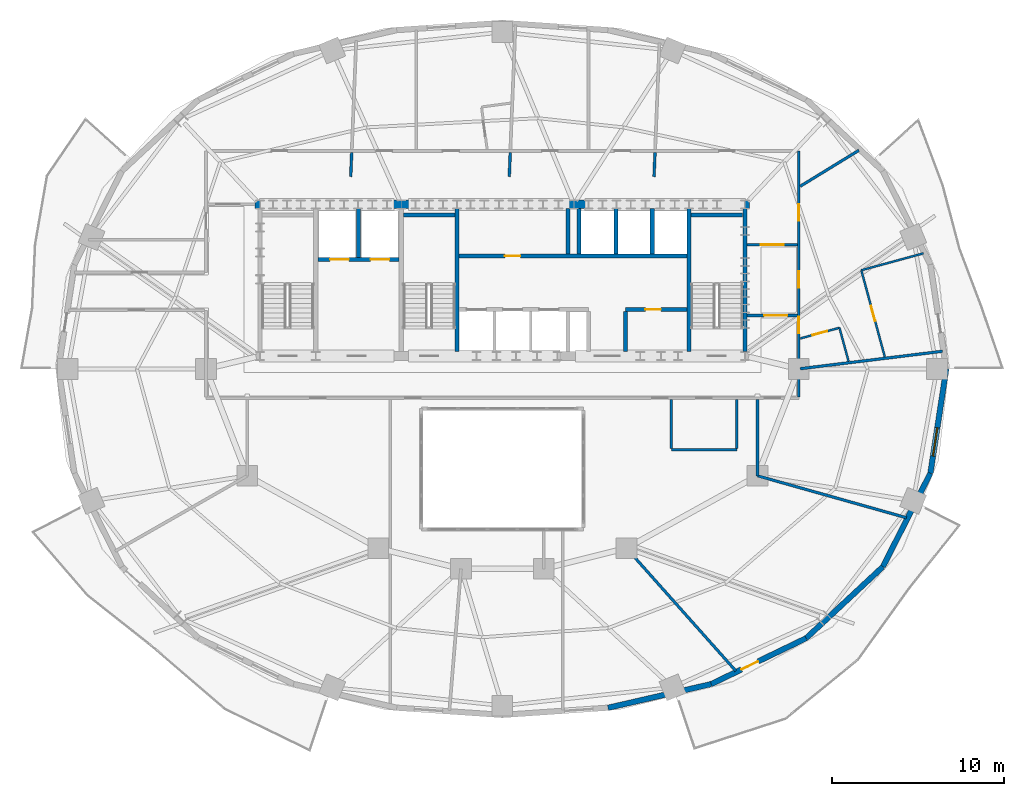
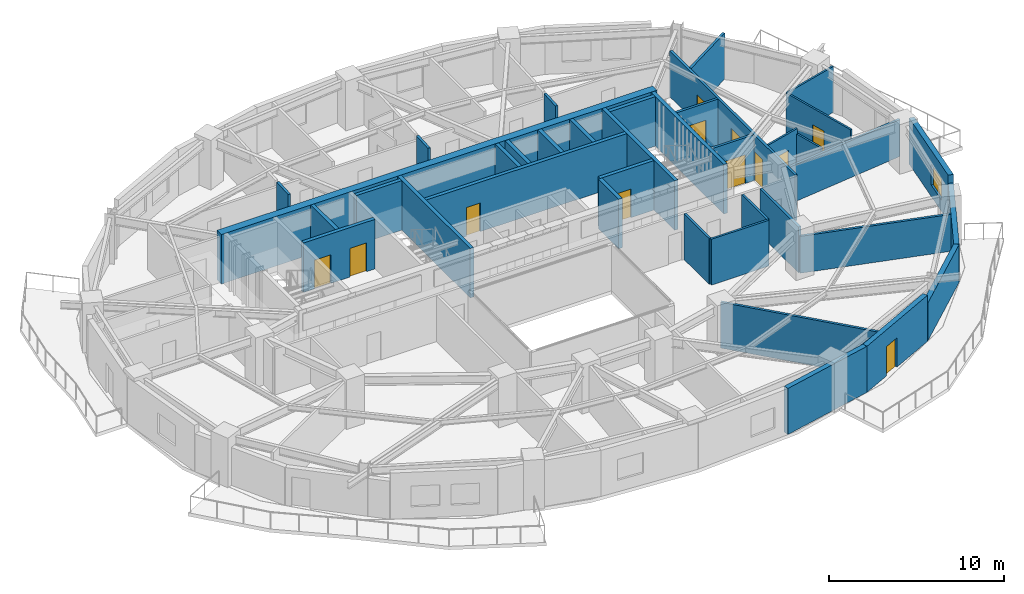
# One storey, part 7 of 13: 38 walls, 12 doors, 1 window, 13 openings.
"""IFC4 building model written with IfcOpenShell, lengths in metres."""

from ifc_helpers import new_model, si_unit, direction, frame, frame_2d, origin, place, context, subcontext, project, spatial, rectangle, extrude, material, layer, layer_set, type_object, element, fill, save


model = new_model("IFC4")

# Units and contexts
model_context = context("Model", 3, precision=1e-05, world=origin(), true_north=direction((0.0, 1.0)))
body_context = subcontext(model_context, "Body", "Model", "MODEL_VIEW")
ifc_project = project(units=[si_unit("LENGTHUNIT", "METRE"), si_unit("AREAUNIT", "SQUARE_METRE"), si_unit("VOLUMEUNIT", "CUBIC_METRE"), si_unit("PLANEANGLEUNIT", "RADIAN"), si_unit("MASSUNIT", "GRAM", prefix="KILO")], contexts=[model_context])

# Site, building, storey
site_placement = place(None, origin())
site = spatial("IfcSite", under=ifc_project, at=site_placement, CompositionType="ELEMENT")
building_placement = place(site_placement, origin())
building = spatial("IfcBuilding", under=site, at=building_placement, Name="Haldorwick Loom Tower", CompositionType="ELEMENT")
storey_placement = place(building_placement, frame((0.0, 0.0, 139.10009765625)))
storey = spatial("IfcBuildingStorey", under=building, at=storey_placement, Name="L37", CompositionType="ELEMENT", Elevation=139.10009765625)

# Wall
ifc_material_1 = material(Name="Pressed Clay Face Brick and Insulated Masonry Backup Assembly", Category="masonry")
ifc_layer_1 = layer(ifc_material_1, 0.320068359375, Name="Pressed Clay Face Brick and Insulated Masonry Backup Assembly", Category="masonry")
ifc_layer_set_1 = layer_set([ifc_layer_1], Name="Pressed Clay Face Brick and Insulated Masonry Backup Assembly")
wall_type_1 = type_object("IfcWallType", Name="ARC-WL-EXT320", PredefinedType="STANDARD", material=ifc_layer_set_1)
wall_1_placement = place(storey_placement, frame((42.12890625, 6.3359375, 0.0), z_axis=(0.0, 0.0, 1.0), x_axis=(0.974593223547, 0.223982250674, 0.0)))
element("IfcWall", 1, at=wall_1_placement, inside=storey, type_object=wall_type_1, Name="L37 Brick Pier and Spandrel Wall 20", PredefinedType="STANDARD", context=body_context, shape_type="SweptSolid", body=[
    extrude(rectangle(XDim=6.138916015625, YDim=0.320068359375, at=frame_2d((3.0693359375, 0.0))), origin(), (0.0, 0.0, 1.0), 3.2099609375),
])

# Wall, opening, door
wall_2_placement = place(storey_placement, frame((48.11181640625, 7.7109375, 0.0), z_axis=(0.0, 0.0, 1.0), x_axis=(0.900479976617, 0.434897472644, 0.0)))
wall_2 = element("IfcWall", 2, at=wall_2_placement, inside=storey, type_object=wall_type_1, Name="L37 Brick Pier and Spandrel Wall 21", PredefinedType="STANDARD", context=body_context, shape_type="SweptSolid", body=[
    extrude(rectangle(XDim=6.118408203125, YDim=0.320068359375, at=frame_2d((3.05908203125, 0.0))), origin(), (0.0, 0.0, 1.0), 3.2099609375),
])
opening_1_placement = place(wall_2_placement, frame((1.951904296875, 0.0, 0.0)))
opening_1 = element("IfcOpeningElement", 3, at=opening_1_placement, cuts=wall_2, Name="Opening D-BL11", PredefinedType="OPENING", context=body_context, shape_type="SweptSolid", body=[
    extrude(rectangle(XDim=1.080078125, YDim=2.0400390625, at=frame_2d((0.5400390625, 1.02001953125))), frame((0.0, 0.169921875, 0.0), z_axis=(0.0, -1.0, 0.0), x_axis=(1.0, 0.0, 0.0)), (0.0, 0.0, 1.0), 0.340087890625),
])
ifc_material_2 = material(Name="Thermally Broken Anodized Aluminium Curtain Wall Framing", Category="aluminium")
door_type_1 = type_object("IfcDoorType", Name="ARC-DR-BAL110", OperationType="NOTDEFINED", PredefinedType="DOOR", material=ifc_material_2)
door_1_placement = place(opening_1_placement, origin())
door_1 = element("IfcDoor", 4, at=door_1_placement, inside=storey, type_object=door_type_1, Name="L37 Outdoor Terrace Door SLB-L37-BAL_SE", OperationType="SINGLE_SWING_RIGHT", OverallHeight=2.0400390625, OverallWidth=1.080078125, PredefinedType="DOOR", context=body_context, shape_type="SweptSolid", body=[
    extrude(rectangle(XDim=1.080078125, YDim=2.0400390625, at=frame_2d((0.5400390625, 1.02001953125))), frame((0.0, 0.02490234375, 0.0), z_axis=(0.0, -1.0, 0.0), x_axis=(1.0, 0.0, 0.0)), (0.0, 0.0, 1.0), 0.050048828125),
])
fill(opening_1, door_1)

# Walls
for number, where, z_axis, x_axis, name in (
    (5, (53.621337890625, 10.371826171875, 0.0), (0.0, 0.0, 1.0), (0.731982952968, 0.681322945866, 0.0), "L37 Brick Pier and Spandrel Wall 22"),
    (6, (58.07666015625, 14.518798828125, 0.0), (0.0, 0.0, 1.0), (0.453172129629, 0.89142303141, 0.0), "L37 Brick Pier and Spandrel Wall 23"),
):
    element("IfcWall", number, at=place(storey_placement, frame(where, z_axis=z_axis, x_axis=x_axis)), inside=storey, type_object=wall_type_1, Name=name, PredefinedType="STANDARD", context=body_context, shape_type="SweptSolid", body=[
        extrude(rectangle(XDim=6.086669921875, YDim=0.320068359375, at=frame_2d((3.04345703125, 0.0))), origin(), (0.0, 0.0, 1.0), 2.640869140625),
    ])

# Wall, opening, window
wall_3_placement = place(storey_placement, frame((60.8349609375, 19.944580078125, 0.0), z_axis=(0.0, 0.0, 1.0), x_axis=(0.150544467684, 0.988603238539, 0.0)))
wall_3 = element("IfcWall", 7, at=wall_3_placement, inside=storey, type_object=wall_type_1, Name="L37 Brick Pier and Spandrel Wall 24", PredefinedType="STANDARD", context=body_context, shape_type="SweptSolid", body=[
    extrude(rectangle(XDim=6.125244140625, YDim=0.320068359375, at=frame_2d((3.0625, 0.0))), origin(), (0.0, 0.0, 1.0), 3.2099609375),
])
opening_2_placement = place(wall_3_placement, frame((1.0126953125, 0.0, 0.800048828125)))
opening_2 = element("IfcOpeningElement", 8, at=opening_2_placement, cuts=wall_3, Name="Opening W-01B", PredefinedType="OPENING", context=body_context, shape_type="SweptSolid", body=[
    extrude(rectangle(XDim=1.64990234375, YDim=1.449951171875, at=frame_2d((0.824951171875, 0.72509765625))), frame((0.0, 0.169921875, 0.0), z_axis=(0.0, -1.0, 0.0), x_axis=(1.0, 0.0, 0.0)), (0.0, 0.0, 1.0), 0.340087890625),
])
ifc_material_3 = material(Name="Triple-Glazed Low-E Argon Insulated Glazing Unit", Category="glass")
window_type = type_object("IfcWindowType", Name="ARC-WIN-W165", PartitioningType="SINGLE_PANEL", PredefinedType="WINDOW", material=ifc_material_3)
window_placement = place(opening_2_placement, origin())
window = element("IfcWindow", 9, at=window_placement, inside=storey, type_object=window_type, Name="L37 Deep-Set Zone 7A Window 24", OverallHeight=1.449951171875, OverallWidth=1.64990234375, PartitioningType="SINGLE_PANEL", PredefinedType="WINDOW", context=body_context, shape_type="SweptSolid", body=[
    extrude(rectangle(XDim=1.64990234375, YDim=1.449951171875, at=frame_2d((0.824951171875, 0.72509765625))), frame((0.0, 0.030029296875, 0.0), z_axis=(0.0, -1.0, 0.0), x_axis=(1.0, 0.0, 0.0)), (0.0, 0.0, 1.0), 0.06005859375),
])
fill(opening_2, window)

# Wall, openings, doors
ifc_material_4 = material(Name="Fire-Rated Type X Gypsum Stud Assembly EI 60")
ifc_layer_2 = layer(ifc_material_4, 0.159912109375, Name="Fire-Rated Type X Gypsum Stud Assembly EI 60")
ifc_layer_set_2 = layer_set([ifc_layer_2], Name="Fire-Rated Type X Gypsum Stud Assembly EI 60")
wall_type_2 = type_object("IfcWallType", Name="ARC-WL-FIRE160", PredefinedType="PARTITIONING", material=ifc_layer_set_2)
wall_4_placement = place(storey_placement, frame((53.199951171875, 24.383056640625, 0.0), z_axis=(0.0, 0.0, 1.0), x_axis=(0.0, 1.0, 0.0)))
wall_4 = element("IfcWall", 10, at=wall_4_placement, inside=storey, type_object=wall_type_2, Name="L37 Residential Fire Partition L37-CR-E0", PredefinedType="PARTITIONING", context=body_context, shape_type="SweptSolid", body=[
    extrude(rectangle(XDim=14.266845703125, YDim=0.159912109375, at=frame_2d((7.13330078125, 0.0))), origin(), (0.0, 0.0, 1.0), 3.19482421875),
])
opening_3_placement = place(wall_4_placement, frame((6.32421875, 0.0, 0.0)))
opening_3 = element("IfcOpeningElement", 11, at=opening_3_placement, cuts=wall_4, Name="Opening D-FL95", PredefinedType="OPENING", context=body_context, shape_type="SweptSolid", body=[
    extrude(rectangle(XDim=0.949951171875, YDim=2.0400390625, at=frame_2d((0.47509765625, 1.02001953125))), frame((0.0, 0.08984375, 0.0), z_axis=(0.0, -1.0, 0.0), x_axis=(1.0, 0.0, 0.0)), (0.0, 0.0, 1.0), 0.179931640625),
])
opening_4_placement = place(wall_4_placement, frame((10.225341796875, 0.0, 0.0)))
opening_4 = element("IfcOpeningElement", 12, at=opening_4_placement, cuts=wall_4, Name="Opening D-FL95", PredefinedType="OPENING", context=body_context, shape_type="SweptSolid", body=[
    extrude(rectangle(XDim=0.949951171875, YDim=2.0400390625, at=frame_2d((0.47509765625, 1.02001953125))), frame((0.0, 0.08984375, 0.0), z_axis=(0.0, -1.0, 0.0), x_axis=(1.0, 0.0, 0.0)), (0.0, 0.0, 1.0), 0.179931640625),
])
opening_5_placement = place(wall_4_placement, frame((3.6884765625, 0.0, 0.0)))
opening_5 = element("IfcOpeningElement", 13, at=opening_5_placement, cuts=wall_4, Name="Opening D-FL95", PredefinedType="OPENING", context=body_context, shape_type="SweptSolid", body=[
    extrude(rectangle(XDim=0.949951171875, YDim=2.0400390625, at=frame_2d((0.47509765625, 1.02001953125))), frame((0.0, 0.08984375, 0.0), z_axis=(0.0, -1.0, 0.0), x_axis=(1.0, 0.0, 0.0)), (0.0, 0.0, 1.0), 0.179931640625),
])
ifc_material_5 = material(Name="Solid Core Birch Architectural Door")
door_type_2 = type_object("IfcDoorType", Name="ARC-DR-FLAT95", OperationType="NOTDEFINED", PredefinedType="DOOR", material=ifc_material_5)
door_2_placement = place(opening_3_placement, origin())
door_2 = element("IfcDoor", 14, at=door_2_placement, inside=storey, type_object=door_type_2, Name="L37 L37 East Residential Corridor to Unit 37D Kitchen and Living Room Do", OperationType="SINGLE_SWING_RIGHT", OverallHeight=2.0400390625, OverallWidth=0.949951171875, PredefinedType="DOOR", context=body_context, shape_type="SweptSolid", body=[
    extrude(rectangle(XDim=0.949951171875, YDim=2.0400390625, at=frame_2d((0.47509765625, 1.02001953125))), frame((0.0, 0.02490234375, 0.0), z_axis=(0.0, -1.0, 0.0), x_axis=(1.0, 0.0, 0.0)), (0.0, 0.0, 1.0), 0.050048828125),
])
fill(opening_3, door_2)
door_3_placement = place(opening_4_placement, origin())
door_3 = element("IfcDoor", 15, at=door_3_placement, inside=storey, type_object=door_type_2, Name="L37 L37 North Residential Corridor to Unit 37D Kitchen and Living Room D", OperationType="SINGLE_SWING_LEFT", OverallHeight=2.0400390625, OverallWidth=0.949951171875, PredefinedType="DOOR", context=body_context, shape_type="SweptSolid", body=[
    extrude(rectangle(XDim=0.949951171875, YDim=2.0400390625, at=frame_2d((0.47509765625, 1.02001953125))), frame((0.0, 0.02490234375, 0.0), z_axis=(0.0, -1.0, 0.0), x_axis=(1.0, 0.0, 0.0)), (0.0, 0.0, 1.0), 0.050048828125),
])
fill(opening_4, door_3)
door_4_placement = place(opening_5_placement, origin())
door_4 = element("IfcDoor", 16, at=door_4_placement, inside=storey, type_object=door_type_2, Name="L37 L37 Central Residential Corridor to Unit 37D Kitchen and Living Room", OperationType="SINGLE_SWING_RIGHT", OverallHeight=2.0400390625, OverallWidth=0.949951171875, PredefinedType="DOOR", context=body_context, shape_type="SweptSolid", body=[
    extrude(rectangle(XDim=0.949951171875, YDim=2.0400390625, at=frame_2d((0.47509765625, 1.02001953125))), frame((0.0, 0.02490234375, 0.0), z_axis=(0.0, -1.0, 0.0), x_axis=(1.0, 0.0, 0.0)), (0.0, 0.0, 1.0), 0.050048828125),
])
fill(opening_5, door_4)

# Wall, opening, door
wall_5_placement = place(storey_placement, frame((50.193115234375, 29.10009765625, 0.0), z_axis=(0.0, 0.0, 1.0), x_axis=(1.0, 0.0, 0.0)))
wall_5 = element("IfcWall", 17, at=wall_5_placement, inside=storey, type_object=wall_type_2, Name="L37 Residential Fire Partition L37-CR-ESJ", PredefinedType="PARTITIONING", context=body_context, shape_type="SweptSolid", body=[
    extrude(rectangle(XDim=2.923828125, YDim=0.159912109375, at=frame_2d((1.4619140625, 0.0))), origin(), (0.0, 0.0, 1.0), 3.19482421875),
])
opening_6_placement = place(wall_5_placement, frame((0.99560546875, 0.0, 0.0)))
opening_6 = element("IfcOpeningElement", 18, at=opening_6_placement, cuts=wall_5, Name="Opening D-CR15", PredefinedType="OPENING", context=body_context, shape_type="SweptSolid", body=[
    extrude(rectangle(XDim=1.35009765625, YDim=2.0, at=frame_2d((0.675048828125, 1.0))), frame((0.0, 0.08984375, 0.0), z_axis=(0.0, -1.0, 0.0), x_axis=(1.0, 0.0, 0.0)), (0.0, 0.0, 1.0), 0.179931640625),
])
ifc_material_6 = material(Name="Thermally Broken Anodized Aluminium and Tempered Glass", Category="aluminium")
door_type_3 = type_object("IfcDoorType", Name="ARC-DR-COR150", OperationType="NOTDEFINED", PredefinedType="DOOR", material=ifc_material_6)
door_5_placement = place(opening_6_placement, origin())
door_5 = element("IfcDoor", 19, at=door_5_placement, inside=storey, type_object=door_type_3, Name="L37 L37 East Residential Corridor to L37 Central Residential Corridor Do", OperationType="DOUBLE_DOOR_SINGLE_SWING", OverallHeight=2.0, OverallWidth=1.35009765625, PredefinedType="DOOR", context=body_context, shape_type="SweptSolid", body=[
    extrude(rectangle(XDim=1.35009765625, YDim=2.0, at=frame_2d((0.675048828125, 1.0))), frame((0.0, 0.02490234375, 0.0), z_axis=(0.0, -1.0, 0.0), x_axis=(1.0, 0.0, 0.0)), (0.0, 0.0, 1.0), 0.050048828125),
])
fill(opening_6, door_5)

wall_6_placement = place(storey_placement, frame((50.193115234375, 33.199951171875, 0.0), z_axis=(0.0, 0.0, 1.0), x_axis=(1.0, 0.0, 0.0)))
wall_6 = element("IfcWall", 20, at=wall_6_placement, inside=storey, type_object=wall_type_2, Name="L37 Residential Fire Partition L37-CR-ENJ", PredefinedType="PARTITIONING", context=body_context, shape_type="SweptSolid", body=[
    extrude(rectangle(XDim=2.923828125, YDim=0.159912109375, at=frame_2d((1.4619140625, 0.0))), origin(), (0.0, 0.0, 1.0), 3.19482421875),
])
opening_7_placement = place(wall_6_placement, frame((0.787109375, 0.0, 0.0)))
opening_7 = element("IfcOpeningElement", 21, at=opening_7_placement, cuts=wall_6, Name="Opening D-CR15", PredefinedType="OPENING", context=body_context, shape_type="SweptSolid", body=[
    extrude(rectangle(XDim=1.35009765625, YDim=2.0, at=frame_2d((0.675048828125, 1.0))), frame((0.0, 0.08984375, 0.0), z_axis=(0.0, -1.0, 0.0), x_axis=(1.0, 0.0, 0.0)), (0.0, 0.0, 1.0), 0.179931640625),
])
door_6_placement = place(opening_7_placement, origin())
door_6 = element("IfcDoor", 22, at=door_6_placement, inside=storey, type_object=door_type_3, Name="L37 L37 North Residential Corridor to L37 East Residential Corridor Door", OperationType="DOUBLE_DOOR_SINGLE_SWING", OverallHeight=2.0, OverallWidth=1.35009765625, PredefinedType="DOOR", context=body_context, shape_type="SweptSolid", body=[
    extrude(rectangle(XDim=1.35009765625, YDim=2.0, at=frame_2d((0.675048828125, 1.0))), frame((0.0, 0.02490234375, 0.0), z_axis=(0.0, -1.0, 0.0), x_axis=(1.0, 0.0, 0.0)), (0.0, 0.0, 1.0), 0.050048828125),
])
fill(opening_7, door_6)

# Walls
wall_7_placement = place(storey_placement, frame((53.282958984375, 26.01025390625, 0.0), z_axis=(0.0, 0.0, 1.0), x_axis=(0.99254744349, 0.121858821682, 0.0)))
element("IfcWall", 23, at=wall_7_placement, inside=storey, type_object=wall_type_2, Name="L37 Residential Fire Partition L37-ICR-01", PredefinedType="PARTITIONING", context=body_context, shape_type="SweptSolid", body=[
    extrude(rectangle(XDim=8.314453125, YDim=0.159912109375, at=frame_2d((4.1572265625, 0.0))), origin(), (0.0, 0.0, 1.0), 2.56787109375),
])
wall_8_placement = place(storey_placement, frame((50.800048828125, 19.800048828125, 0.0), z_axis=(0.0, 0.0, 1.0), x_axis=(0.962549528808, -0.271105891842, 0.0)))
element("IfcWall", 24, at=wall_8_placement, inside=storey, type_object=wall_type_2, Name="L37 Residential Fire Partition L37-ICR-03", PredefinedType="PARTITIONING", context=body_context, shape_type="SweptSolid", body=[
    extrude(rectangle(XDim=8.986328125, YDim=0.159912109375, at=frame_2d((4.4931640625, 0.0))), origin(), (0.0, 0.0, 1.0), 2.56787109375),
])
wall_9_placement = place(storey_placement, frame((43.199951171875, 15.60009765625, 0.0), z_axis=(0.0, 0.0, 1.0), x_axis=(0.66516713388, -0.74669450514, 0.0)))
element("IfcWall", 25, at=wall_9_placement, inside=storey, type_object=wall_type_2, Name="L37 Residential Fire Partition L37-ICR-05", PredefinedType="PARTITIONING", context=body_context, shape_type="SweptSolid", body=[
    extrude(rectangle(XDim=9.540771484375, YDim=0.159912109375, at=frame_2d((4.7705078125, 0.0))), origin(), (0.0, 0.0, 1.0), 3.19482421875),
])
wall_10_placement = place(storey_placement, frame((50.800048828125, 24.217041015625, 0.0), z_axis=(0.0, 0.0, 1.0), x_axis=(0.0, -1.0, 0.0)))
element("IfcWall", 26, at=wall_10_placement, inside=storey, type_object=wall_type_2, Name="L37 Residential Fire Partition L37-ICA-02", PredefinedType="PARTITIONING", context=body_context, shape_type="SweptSolid", body=[
    extrude(rectangle(XDim=4.4169921875, YDim=0.159912109375, at=frame_2d((2.20849609375, 0.0))), origin(), (0.0, 0.0, 1.0), 3.19482421875),
])
for number, where, z_axis, x_axis, name in (
    (27, (27.199951171875, 37.14990234375, 0.0), (0.0, 0.0, 1.0), (0.040628040027, 0.999174340325, 0.0), "L37 Residential Fire Partition L37-UPN-12"),
    (28, (36.39990234375, 37.14990234375, 0.0), (0.0, 0.0, 1.0), (0.040628040027, 0.999174340325, 0.0), "L37 Residential Fire Partition L37-UPN-13"),
    (29, (44.800048828125, 37.14990234375, 0.0), (0.0, 0.0, 1.0), (0.040456169676, 0.999181314044, 0.0), "L37 Residential Fire Partition L37-UPN-14"),
):
    element("IfcWall", number, at=place(storey_placement, frame(where, z_axis=z_axis, x_axis=x_axis)), inside=storey, type_object=wall_type_2, Name=name, PredefinedType="PARTITIONING", context=body_context, shape_type="SweptSolid", body=[
        extrude(rectangle(XDim=1.418212890625, YDim=0.159912109375, at=frame_2d((0.708984375, 0.0))), origin(), (0.0, 0.0, 1.0), 3.19482421875),
    ])
wall_11_placement = place(storey_placement, frame((53.282958984375, 36.596435546875, 0.0), z_axis=(0.0, 0.0, 1.0), x_axis=(0.852502860446, 0.522722558276, 0.0)))
element("IfcWall", 30, at=wall_11_placement, inside=storey, type_object=wall_type_2, Name="L37 Suite Split Wall", PredefinedType="PARTITIONING", context=body_context, shape_type="SweptSolid", body=[
    extrude(rectangle(XDim=3.99462890625, YDim=0.159912109375, at=frame_2d((1.997314453125, 0.0))), origin(), (0.0, 0.0, 1.0), 3.19482421875),
])
ifc_material_7 = material(Name="Acoustic Gypsum Stud Assembly STC 55")
ifc_layer_3 = layer(ifc_material_7, 0.1201171875, Name="Acoustic Gypsum Stud Assembly STC 55")
ifc_layer_set_3 = layer_set([ifc_layer_3], Name="Acoustic Gypsum Stud Assembly STC 55")
wall_type_3 = type_object("IfcWallType", Name="ARC-WL-PART120", PredefinedType="PARTITIONING", material=ifc_layer_set_3)
wall_12_placement = place(storey_placement, frame((56.08740234375, 26.43798828125, 0.0), z_axis=(0.0, 0.0, 1.0), x_axis=(-0.262134196137, 0.965031431206, 0.0)))
element("IfcWall", 31, at=wall_12_placement, inside=storey, type_object=wall_type_3, Name="L37 Unit 37D Interior Partition", PredefinedType="PARTITIONING", context=body_context, shape_type="SweptSolid", body=[
    extrude(rectangle(XDim=2.017333984375, YDim=0.1201171875, at=frame_2d((1.0087890625, 0.0))), origin(), (0.0, 0.0, 1.0), 2.826904296875),
])

# Wall, opening, door
wall_13_placement = place(storey_placement, frame((53.282958984375, 27.7666015625, 0.0), z_axis=(0.0, 0.0, 1.0), x_axis=(0.965028534236, 0.262144860925, 0.0)))
wall_13 = element("IfcWall", 32, at=wall_13_placement, inside=storey, type_object=wall_type_3, Name="L37 Unit 37D Interior Partition", PredefinedType="PARTITIONING", context=body_context, shape_type="SweptSolid", body=[
    extrude(rectangle(XDim=2.358154296875, YDim=0.1201171875, at=frame_2d((1.17919921875, 0.0))), origin(), (0.0, 0.0, 1.0), 3.19482421875),
])
opening_8_placement = place(wall_13_placement, frame((0.739013671875, 0.0, 0.0)))
opening_8 = element("IfcOpeningElement", 33, at=opening_8_placement, cuts=wall_13, Name="Opening D-BT88", PredefinedType="OPENING", context=body_context, shape_type="SweptSolid", body=[
    extrude(rectangle(XDim=0.8798828125, YDim=2.02001953125, at=frame_2d((0.43994140625, 1.010009765625))), frame((0.0, 0.070068359375, 0.0), z_axis=(0.0, -1.0, 0.0), x_axis=(1.0, 0.0, 0.0)), (0.0, 0.0, 1.0), 0.14013671875),
])
door_type_4 = type_object("IfcDoorType", Name="ARC-DR-BATH88", OperationType="NOTDEFINED", PredefinedType="DOOR", material=ifc_material_5)
door_7_placement = place(opening_8_placement, origin())
door_7 = element("IfcDoor", 34, at=door_7_placement, inside=storey, type_object=door_type_4, Name="L37 Unit 37D Kitchen and Living Room to Unit 37D Bathroom Door", OperationType="SINGLE_SWING_RIGHT", OverallHeight=2.02001953125, OverallWidth=0.8798828125, PredefinedType="DOOR", context=body_context, shape_type="SweptSolid", body=[
    extrude(rectangle(XDim=0.8798828125, YDim=2.02001953125, at=frame_2d((0.43994140625, 1.010009765625))), frame((0.0, 0.02490234375, 0.0), z_axis=(0.0, -1.0, 0.0), x_axis=(1.0, 0.0, 0.0)), (0.0, 0.0, 1.0), 0.050048828125),
])
fill(opening_8, door_7)

wall_14_placement = place(storey_placement, frame((58.19140625, 26.696533203125, 0.0), z_axis=(0.0, 0.0, 1.0), x_axis=(-0.262185642536, 0.965017455204, 0.0)))
wall_14 = element("IfcWall", 35, at=wall_14_placement, inside=storey, type_object=wall_type_3, Name="L37 Unit 37D Interior Partition", PredefinedType="PARTITIONING", context=body_context, shape_type="SweptSolid", body=[
    extrude(rectangle(XDim=5.2109375, YDim=0.1201171875, at=frame_2d((2.60546875, 0.0))), origin(), (0.0, 0.0, 1.0), 3.19482421875),
])
opening_9_placement = place(wall_14_placement, frame((2.155517578125, 0.0, 0.0)))
opening_9 = element("IfcOpeningElement", 36, at=opening_9_placement, cuts=wall_14, Name="Opening D-IN90", PredefinedType="OPENING", context=body_context, shape_type="SweptSolid", body=[
    extrude(rectangle(XDim=0.89990234375, YDim=2.0400390625, at=frame_2d((0.449951171875, 1.02001953125))), frame((0.0, 0.070068359375, 0.0), z_axis=(0.0, -1.0, 0.0), x_axis=(1.0, 0.0, 0.0)), (0.0, 0.0, 1.0), 0.14013671875),
])
door_type_5 = type_object("IfcDoorType", Name="ARC-DR-INT90", OperationType="NOTDEFINED", PredefinedType="DOOR", material=ifc_material_5)
door_8_placement = place(opening_9_placement, origin())
door_8 = element("IfcDoor", 37, at=door_8_placement, inside=storey, type_object=door_type_5, Name="L37 Unit 37D Kitchen and Living Room to Unit 37D Bedroom 1 Door", OperationType="SINGLE_SWING_RIGHT", OverallHeight=2.0400390625, OverallWidth=0.89990234375, PredefinedType="DOOR", context=body_context, shape_type="SweptSolid", body=[
    extrude(rectangle(XDim=0.89990234375, YDim=2.0400390625, at=frame_2d((0.449951171875, 1.02001953125))), frame((0.0, 0.02490234375, 0.0), z_axis=(0.0, -1.0, 0.0), x_axis=(1.0, 0.0, 0.0)), (0.0, 0.0, 1.0), 0.050048828125),
])
fill(opening_9, door_8)

# Walls
wall_15_placement = place(storey_placement, frame((56.8251953125, 31.72509765625, 0.0), z_axis=(0.0, 0.0, 1.0), x_axis=(0.965012118881, 0.262205282961, 0.0)))
element("IfcWall", 38, at=wall_15_placement, inside=storey, type_object=wall_type_3, Name="L37 Unit 37D Interior Partition", PredefinedType="PARTITIONING", context=body_context, shape_type="SweptSolid", body=[
    extrude(rectangle(XDim=3.737548828125, YDim=0.1201171875, at=frame_2d((1.86865234375, 0.0))), origin(), (0.0, 0.0, 1.0), 3.19482421875),
])
ifc_layer_4 = layer(ifc_material_4, 0.139892578125, Name="Fire-Rated Type X Gypsum Stud Assembly EI 60")
ifc_layer_set_4 = layer_set([ifc_layer_4], Name="Fire-Rated Type X Gypsum Stud Assembly EI 60")
wall_type_4 = type_object("IfcWallType", Name="ARC-WL-PART140", PredefinedType="PARTITIONING", material=ifc_layer_set_4)
wall_16_placement = place(storey_placement, frame((45.800048828125, 21.300048828125, 0.0), z_axis=(0.0, 0.0, 1.0), x_axis=(1.0, 0.0, 0.0)))
element("IfcWall", 39, at=wall_16_placement, inside=storey, type_object=wall_type_4, Name="L37 Residential Fire Partition L37-CWC-S", PredefinedType="PARTITIONING", context=body_context, shape_type="SweptSolid", body=[
    extrude(rectangle(XDim=3.800048828125, YDim=0.139892578125, at=frame_2d((1.89990234375, 0.0))), origin(), (0.0, 0.0, 1.0), 3.19482421875),
])
for number, where, z_axis, x_axis, name in (
    (40, (45.800048828125, 21.373046875, 0.0), (0.0, 0.0, 1.0), (0.0, 1.0, 0.0), "L37 Residential Fire Partition L37-CWC-W"),
    (41, (49.60009765625, 21.373046875, 0.0), (0.0, 0.0, 1.0), (0.0, 1.0, 0.0), "L37 Residential Fire Partition L37-CWC-E"),
):
    element("IfcWall", number, at=place(storey_placement, frame(where, z_axis=z_axis, x_axis=x_axis)), inside=storey, type_object=wall_type_4, Name=name, PredefinedType="PARTITIONING", context=body_context, shape_type="SweptSolid", body=[
        extrude(rectangle(XDim=2.843994140625, YDim=0.139892578125, at=frame_2d((1.421875, 0.0))), origin(), (0.0, 0.0, 1.0), 3.19482421875),
    ])
ifc_material_8 = material(Name="Concrete C60 (60 MPa)", Category="concrete")
ifc_layer_5 = layer(ifc_material_8, 0.5, Name="Concrete C60 (60 MPa)", Category="concrete")
ifc_layer_set_5 = layer_set([ifc_layer_5], Name="Concrete C60 (60 MPa)")
wall_type_5 = type_object("IfcWallType", Name="STR-WL-CORE500", PredefinedType="SHEAR", material=ifc_layer_set_5)
wall_17_placement = place(storey_placement, frame((50.35009765625, 35.550048828125, 0.0), z_axis=(0.0, 0.0, 1.0), x_axis=(-1.0, 0.0, 0.0)))
element("IfcWall", 42, at=wall_17_placement, inside=storey, type_object=wall_type_5, Name="L37 Core Shear Wall N", PredefinedType="SHEAR", context=body_context, shape_type="SweptSolid", body=[
    extrude(rectangle(XDim=28.7001953125, YDim=0.5, at=frame_2d((14.35009765625, 0.0))), origin(), (0.0, 0.0, 1.0), 3.449951171875),
])
ifc_material_9 = material(Name="Concrete C50 (50 MPa)", Category="concrete")
ifc_layer_6 = layer(ifc_material_9, 0.239990234375, Name="Concrete C50 (50 MPa)", Category="concrete")
ifc_layer_set_6 = layer_set([ifc_layer_6], Name="Concrete C50 (50 MPa)")
wall_type_6 = type_object("IfcWallType", Name="STR-WL-SHAFT240", PredefinedType="SHEAR", material=ifc_layer_set_6)
for number, where, z_axis, x_axis, name in (
    (43, (50.070068359375, 27.0029296875, 0.0), (0.0, 0.0, 1.0), (0.0, 1.0, 0.0), "L37 Core Shear Wall E"),
    (44, (33.3701171875, 27.0029296875, 0.0), (0.0, 0.0, 1.0), (0.0, 1.0, 0.0), "L37 Core Shear Wall 3"),
):
    element("IfcWall", number, at=place(storey_placement, frame(where, z_axis=z_axis, x_axis=x_axis)), inside=storey, type_object=wall_type_6, Name=name, PredefinedType="SHEAR", context=body_context, shape_type="SweptSolid", body=[
        extrude(rectangle(XDim=8.294189453125, YDim=0.239990234375, at=frame_2d((4.14697265625, 0.0))), origin(), (0.0, 0.0, 1.0), 3.449951171875),
    ])
wall_18_placement = place(storey_placement, frame((30.2529296875, 34.919921875, 0.0), z_axis=(0.0, 0.0, 1.0), x_axis=(1.0, 0.0, 0.0)))
element("IfcWall", 45, at=wall_18_placement, inside=storey, type_object=wall_type_6, Name="L37 Core Shear Wall 3N", PredefinedType="SHEAR", context=body_context, shape_type="SweptSolid", body=[
    extrude(rectangle(XDim=2.994140625, YDim=0.239990234375, at=frame_2d((1.4970703125, 0.0))), origin(), (0.0, 0.0, 1.0), 3.449951171875),
])
wall_19_placement = place(storey_placement, frame((46.830078125, 27.0029296875, 0.0), z_axis=(0.0, 0.0, 1.0), x_axis=(0.0, 1.0, 0.0)))
element("IfcWall", 46, at=wall_19_placement, inside=storey, type_object=wall_type_6, Name="L37 Core Shear Wall 4", PredefinedType="SHEAR", context=body_context, shape_type="SweptSolid", body=[
    extrude(rectangle(XDim=8.294189453125, YDim=0.239990234375, at=frame_2d((4.14697265625, 0.0))), origin(), (0.0, 0.0, 1.0), 3.449951171875),
])
wall_20_placement = place(storey_placement, frame((46.952880859375, 34.919921875, 0.0), z_axis=(0.0, 0.0, 1.0), x_axis=(1.0, 0.0, 0.0)))
element("IfcWall", 47, at=wall_20_placement, inside=storey, type_object=wall_type_6, Name="L37 Core Shear Wall 4N", PredefinedType="SHEAR", context=body_context, shape_type="SweptSolid", body=[
    extrude(rectangle(XDim=2.994140625, YDim=0.239990234375, at=frame_2d((1.4970703125, 0.0))), origin(), (0.0, 0.0, 1.0), 3.449951171875),
])

# Wall, openings, doors
wall_21_placement = place(storey_placement, frame((25.29296875, 32.35009765625, 0.0), z_axis=(0.0, 0.0, 1.0), x_axis=(1.0, 0.0, 0.0)))
wall_21 = element("IfcWall", 48, at=wall_21_placement, inside=storey, type_object=wall_type_6, Name="L37 Core Shear Wall FF", PredefinedType="SHEAR", context=body_context, shape_type="SweptSolid", body=[
    extrude(rectangle(XDim=4.714111328125, YDim=0.239990234375, at=frame_2d((2.35693359375, 0.0))), origin(), (0.0, 0.0, 1.0), 3.449951171875),
])
opening_10_placement = place(wall_21_placement, frame((0.70703125, 0.0, 0.0)))
opening_10 = element("IfcOpeningElement", 49, at=opening_10_placement, cuts=wall_21, Name="Opening LD-FF1", PredefinedType="OPENING", context=body_context, shape_type="SweptSolid", body=[
    extrude(rectangle(XDim=1.10009765625, YDim=2.0, at=frame_2d((0.550048828125, 1.0))), frame((0.0, 0.1298828125, 0.0), z_axis=(0.0, -1.0, 0.0), x_axis=(1.0, 0.0, 0.0)), (0.0, 0.0, 1.0), 0.260009765625),
])
opening_11_placement = place(wall_21_placement, frame((3.056884765625, 0.0, 0.0)))
opening_11 = element("IfcOpeningElement", 50, at=opening_11_placement, cuts=wall_21, Name="Opening LD-FF2", PredefinedType="OPENING", context=body_context, shape_type="SweptSolid", body=[
    extrude(rectangle(XDim=1.10009765625, YDim=2.0, at=frame_2d((0.550048828125, 1.0))), frame((0.0, 0.1298828125, 0.0), z_axis=(0.0, -1.0, 0.0), x_axis=(1.0, 0.0, 0.0)), (0.0, 0.0, 1.0), 0.260009765625),
])
ifc_material_10 = material(Name="Hollow Steel Fire Door Assembly", Category="steel")
door_type_6 = type_object("IfcDoorType", Name="ARC-DR-LD-FF", OperationType="NOTDEFINED", PredefinedType="USERDEFINED", material=ifc_material_10)
door_9_placement = place(opening_10_placement, origin())
door_9 = element("IfcDoor", 51, at=door_9_placement, inside=storey, type_object=door_type_6, Name="L37 Lift LF-FF1 Sliding Landing Door", ObjectType="LANDING DOOR", OperationType="DOUBLE_DOOR_SLIDING", OverallHeight=2.0, OverallWidth=1.10009765625, PredefinedType="USERDEFINED", context=body_context, shape_type="SweptSolid", body=[
    extrude(rectangle(XDim=1.10009765625, YDim=2.0, at=frame_2d((0.550048828125, 1.0))), frame((0.0, 0.02490234375, 0.0), z_axis=(0.0, -1.0, 0.0), x_axis=(1.0, 0.0, 0.0)), (0.0, 0.0, 1.0), 0.050048828125),
])
fill(opening_10, door_9)
door_10_placement = place(opening_11_placement, origin())
door_10 = element("IfcDoor", 52, at=door_10_placement, inside=storey, type_object=door_type_6, Name="L37 Lift LF-FF2 Sliding Landing Door", ObjectType="LANDING DOOR", OperationType="DOUBLE_DOOR_SLIDING", OverallHeight=2.0, OverallWidth=1.10009765625, PredefinedType="USERDEFINED", context=body_context, shape_type="SweptSolid", body=[
    extrude(rectangle(XDim=1.10009765625, YDim=2.0, at=frame_2d((0.550048828125, 1.0))), frame((0.0, 0.02490234375, 0.0), z_axis=(0.0, -1.0, 0.0), x_axis=(1.0, 0.0, 0.0)), (0.0, 0.0, 1.0), 0.050048828125),
])
fill(opening_11, door_10)

# Wall
wall_22_placement = place(storey_placement, frame((27.64990234375, 32.472900390625, 0.0), z_axis=(0.0, 0.0, 1.0), x_axis=(0.0, 1.0, 0.0)))
element("IfcWall", 53, at=wall_22_placement, inside=storey, type_object=wall_type_6, Name="L37 Core Shear Wall FFD", PredefinedType="SHEAR", context=body_context, shape_type="SweptSolid", body=[
    extrude(rectangle(XDim=2.82421875, YDim=0.239990234375, at=frame_2d((1.412109375, 0.0))), origin(), (0.0, 0.0, 1.0), 3.449951171875),
])

# Wall, opening, door
wall_23_placement = place(storey_placement, frame((33.492919921875, 32.550048828125, 0.0), z_axis=(0.0, 0.0, 1.0), x_axis=(1.0, 0.0, 0.0)))
wall_23 = element("IfcWall", 54, at=wall_23_placement, inside=storey, type_object=wall_type_6, Name="L37 Core Shear Wall LN", PredefinedType="SHEAR", context=body_context, shape_type="SweptSolid", body=[
    extrude(rectangle(XDim=13.214111328125, YDim=0.239990234375, at=frame_2d((6.60693359375, 0.0))), origin(), (0.0, 0.0, 1.0), 3.449951171875),
])
opening_12_placement = place(wall_23_placement, frame((2.656982421875, 0.0, 0.0)))
opening_12 = element("IfcOpeningElement", 55, at=opening_12_placement, cuts=wall_23, Name="Opening D-FD60A", PredefinedType="OPENING", context=body_context, shape_type="SweptSolid", body=[
    extrude(rectangle(XDim=0.89990234375, YDim=2.0, at=frame_2d((0.449951171875, 1.0))), frame((0.0, 0.1298828125, 0.0), z_axis=(0.0, -1.0, 0.0), x_axis=(1.0, 0.0, 0.0)), (0.0, 0.0, 1.0), 0.260009765625),
])
door_type_7 = type_object("IfcDoorType", Name="ARC-DR-FD60-90", OperationType="NOTDEFINED", PredefinedType="DOOR", material=ifc_material_10)
door_11_placement = place(opening_12_placement, frame((0.89990234375, 0.0, 0.0), z_axis=(0.0, 0.0, 1.0), x_axis=(-1.0, 0.0, 0.0)))
door_11 = element("IfcDoor", 56, at=door_11_placement, inside=storey, type_object=door_type_7, Name="L37 Housekeeping Store Door", OperationType="SINGLE_SWING_LEFT", OverallHeight=2.0, OverallWidth=0.89990234375, PredefinedType="DOOR", context=body_context, shape_type="SweptSolid", body=[
    extrude(rectangle(XDim=0.89990234375, YDim=2.0, at=frame_2d((0.449951171875, 1.0))), frame((0.0, 0.02490234375, 0.0), z_axis=(0.0, -1.0, 0.0), x_axis=(1.0, 0.0, 0.0)), (0.0, 0.0, 1.0), 0.050048828125),
])
fill(opening_12, door_11)

wall_24_placement = place(storey_placement, frame((43.14990234375, 29.449951171875, 0.0), z_axis=(0.0, 0.0, 1.0), x_axis=(1.0, 0.0, 0.0)))
wall_24 = element("IfcWall", 57, at=wall_24_placement, inside=storey, type_object=wall_type_6, Name="L37 Core Shear Wall LS2", PredefinedType="SHEAR", context=body_context, shape_type="SweptSolid", body=[
    extrude(rectangle(XDim=3.55712890625, YDim=0.239990234375, at=frame_2d((1.778564453125, 0.0))), origin(), (0.0, 0.0, 1.0), 3.449951171875),
])
opening_13_placement = place(wall_24_placement, frame((1.14990234375, 0.0, 0.0)))
opening_13 = element("IfcOpeningElement", 58, at=opening_13_placement, cuts=wall_24, Name="Opening D-FD60A", PredefinedType="OPENING", context=body_context, shape_type="SweptSolid", body=[
    extrude(rectangle(XDim=0.89990234375, YDim=2.0, at=frame_2d((0.449951171875, 1.0))), frame((0.0, 0.1298828125, 0.0), z_axis=(0.0, -1.0, 0.0), x_axis=(1.0, 0.0, 0.0)), (0.0, 0.0, 1.0), 0.260009765625),
])
door_12_placement = place(opening_13_placement, origin())
door_12 = element("IfcDoor", 59, at=door_12_placement, inside=storey, type_object=door_type_7, Name="L37 Electrical Metering Door", OperationType="SINGLE_SWING_LEFT", OverallHeight=2.0, OverallWidth=0.89990234375, PredefinedType="DOOR", context=body_context, shape_type="SweptSolid", body=[
    extrude(rectangle(XDim=0.89990234375, YDim=2.0, at=frame_2d((0.449951171875, 1.0))), frame((0.0, 0.02490234375, 0.0), z_axis=(0.0, -1.0, 0.0), x_axis=(1.0, 0.0, 0.0)), (0.0, 0.0, 1.0), 0.050048828125),
])
fill(opening_13, door_12)

# Walls
wall_25_placement = place(storey_placement, frame((43.14990234375, 27.0029296875, 0.0), z_axis=(0.0, 0.0, 1.0), x_axis=(0.0, 1.0, 0.0)))
element("IfcWall", 60, at=wall_25_placement, inside=storey, type_object=wall_type_6, Name="L37 Core Shear Wall THE", PredefinedType="SHEAR", context=body_context, shape_type="SweptSolid", body=[
    extrude(rectangle(XDim=2.323974609375, YDim=0.239990234375, at=frame_2d((1.162109375, 0.0))), origin(), (0.0, 0.0, 1.0), 3.449951171875),
])
for number, where, z_axis, x_axis, name in (
    (61, (39.800048828125, 32.673095703125, 0.0), (0.0, 0.0, 1.0), (0.0, 1.0, 0.0), "L37 Core Shear Wall LHW"),
    (62, (40.449951171875, 32.673095703125, 0.0), (0.0, 0.0, 1.0), (0.0, 1.0, 0.0), "L37 Core Shear Wall H0"),
    (63, (42.60009765625, 32.673095703125, 0.0), (0.0, 0.0, 1.0), (0.0, 1.0, 0.0), "L37 Core Shear Wall H1"),
    (64, (44.699951171875, 32.673095703125, 0.0), (0.0, 0.0, 1.0), (0.0, 1.0, 0.0), "L37 Core Shear Wall H2"),
):
    element("IfcWall", number, at=place(storey_placement, frame(where, z_axis=z_axis, x_axis=x_axis)), inside=storey, type_object=wall_type_6, Name=name, PredefinedType="SHEAR", context=body_context, shape_type="SweptSolid", body=[
        extrude(rectangle(XDim=2.6240234375, YDim=0.239990234375, at=frame_2d((1.31201171875, 0.0))), origin(), (0.0, 0.0, 1.0), 3.449951171875),
    ])

save(model, "model.ifc")
